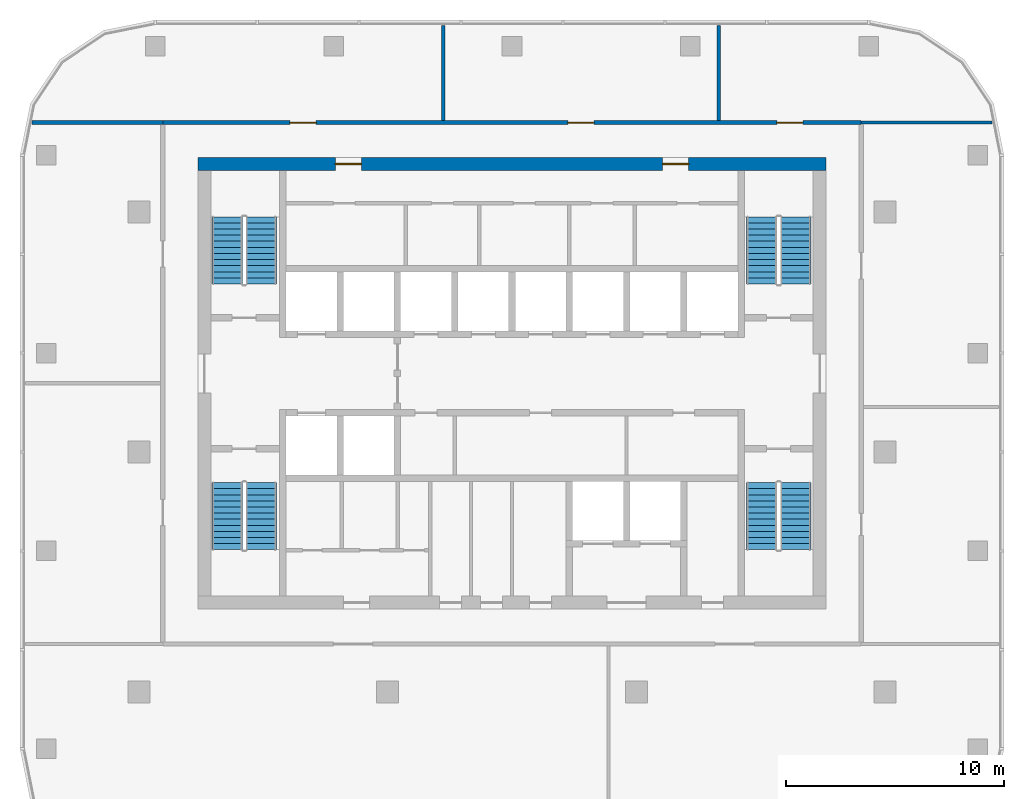
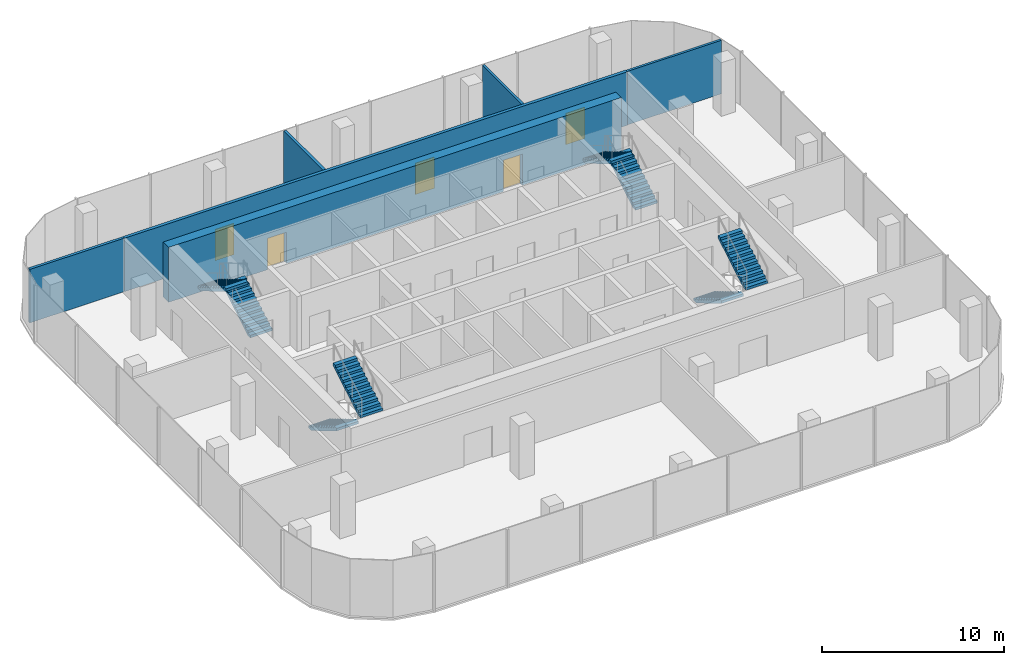
# One storey, part 8 of 9: 8 stair flights, 6 walls, 5 doors, 5 openings, 4 elements without a shape of their own.
"""IFC4 building model written with IfcOpenShell, lengths in metres."""

from ifc_helpers import new_model, si_unit, direction, frame, frame_2d, origin, place, context, subcontext, project, spatial, polyline, rectangle, outline, extrude, material, layer, layer_set, type_object, element, fill, aggregate, save


model = new_model("IFC4")

# Units and contexts
model_context = context("Model", 3, precision=1e-05, world=origin(), true_north=direction((0.0, 1.0)))
body_context = subcontext(model_context, "Body", "Model", "MODEL_VIEW")
ifc_project = project(units=[si_unit("LENGTHUNIT", "METRE"), si_unit("AREAUNIT", "SQUARE_METRE"), si_unit("VOLUMEUNIT", "CUBIC_METRE"), si_unit("PLANEANGLEUNIT", "RADIAN"), si_unit("MASSUNIT", "GRAM", prefix="KILO")], contexts=[model_context])

# Site, building, storey
site_placement = place(None, origin())
site = spatial("IfcSite", under=ifc_project, at=site_placement, CompositionType="ELEMENT")
building_placement = place(site_placement, origin())
building = spatial("IfcBuilding", under=site, at=building_placement, Name="Mopane Tessera Tower", CompositionType="ELEMENT")
storey_placement = place(building_placement, frame((0.0, 0.0, 353.39990234375)))
storey = spatial("IfcBuildingStorey", under=building, at=storey_placement, Name="L77", CompositionType="ELEMENT", Elevation=353.39990234375)

# Wall, openings, doors
ifc_material_1 = material(Name="Concrete C70/85", Category="concrete")
ifc_layer_1 = layer(ifc_material_1, 0.60009765625)
ifc_layer_set_1 = layer_set([ifc_layer_1], Name="Concrete C70/85")
wall_type_1 = type_object("IfcWallType", Name="Core shear wall 600 mm", PredefinedType="SHEAR", material=ifc_layer_set_1)
wall_1_placement = place(storey_placement, frame((-14.39990234375, 13.199951171875, 0.0), z_axis=(0.0, 0.0, 1.0), x_axis=(1.0, 0.0, 0.0)))
wall_1 = element("IfcWall", 1, at=wall_1_placement, inside=storey, type_object=wall_type_1, Name="L77 Core wall north", PredefinedType="SHEAR", context=body_context, shape_type="SweptSolid", body=[
    extrude(rectangle(XDim=28.7998046875, YDim=0.60009765625, at=frame_2d((14.39990234375, 0.0))), origin(), (0.0, 0.0, 1.0), 3.7001953125),
])
opening_1_placement = place(wall_1_placement, frame((6.300048828125, 0.0, 0.0)))
opening_1 = element("IfcOpeningElement", 2, at=opening_1_placement, cuts=wall_1, Name="Opening RD2", PredefinedType="OPENING", context=body_context, shape_type="SweptSolid", body=[
    extrude(rectangle(XDim=1.199951171875, YDim=2.10009765625, at=frame_2d((0.60009765625, 1.050048828125))), frame((0.0, 0.31201171875, 0.0), z_axis=(0.0, -1.0, 0.0), x_axis=(1.0, 0.0, 0.0)), (0.0, 0.0, 1.0), 0.6240234375),
])
opening_2_placement = place(wall_1_placement, frame((21.300048828125, 0.0, 0.0)))
opening_2 = element("IfcOpeningElement", 3, at=opening_2_placement, cuts=wall_1, Name="Opening RD2", PredefinedType="OPENING", context=body_context, shape_type="SweptSolid", body=[
    extrude(rectangle(XDim=1.199951171875, YDim=2.10009765625, at=frame_2d((0.60009765625, 1.050048828125))), frame((0.0, 0.31201171875, 0.0), z_axis=(0.0, -1.0, 0.0), x_axis=(1.0, 0.0, 0.0)), (0.0, 0.0, 1.0), 0.6240234375),
])
ifc_material_2 = material(Name="Timber door", Category="wood")
door_type_1 = type_object("IfcDoorType", Name="Core corridor door 1200 x 2100", OperationType="SINGLE_SWING_LEFT", PredefinedType="DOOR", material=ifc_material_2)
door_1_placement = place(opening_1_placement, origin())
door_1 = element("IfcDoor", 4, at=door_1_placement, inside=storey, type_object=door_type_1, Name="L77 Corridor door", OperationType="SINGLE_SWING_LEFT", OverallHeight=2.10009765625, OverallWidth=1.199951171875, PredefinedType="DOOR", context=body_context, shape_type="SweptSolid", body=[
    extrude(rectangle(XDim=1.199951171875, YDim=2.10009765625, at=frame_2d((0.60009765625, 1.050048828125))), frame((0.0, 0.02490234375, 0.0), z_axis=(0.0, -1.0, 0.0), x_axis=(1.0, 0.0, 0.0)), (0.0, 0.0, 1.0), 0.050048828125),
])
fill(opening_1, door_1)
door_2_placement = place(opening_2_placement, origin())
door_2 = element("IfcDoor", 5, at=door_2_placement, inside=storey, type_object=door_type_1, Name="L77 Corridor door", OperationType="SINGLE_SWING_RIGHT", OverallHeight=2.10009765625, OverallWidth=1.199951171875, PredefinedType="DOOR", context=body_context, shape_type="SweptSolid", body=[
    extrude(rectangle(XDim=1.199951171875, YDim=2.10009765625, at=frame_2d((0.60009765625, 1.050048828125))), frame((0.0, 0.02490234375, 0.0), z_axis=(0.0, -1.0, 0.0), x_axis=(1.0, 0.0, 0.0)), (0.0, 0.0, 1.0), 0.050048828125),
])
fill(opening_2, door_2)

# Walls
ifc_material_3 = material(Name="Gypsum board on staggered steel studs, double layer each face, acoustic mineral wool infill", Category="steel")
ifc_layer_2 = layer(ifc_material_3, 0.175048828125)
ifc_layer_set_2 = layer_set([ifc_layer_2], Name="Gypsum board on staggered steel studs, double layer each face, acoustic mineral wool infill")
wall_type_2 = type_object("IfcWallType", Name="Gypsum board acoustic partition 175, rated EI 60", PredefinedType="PARTITIONING", material=ifc_layer_set_2)
wall_2_placement = place(storey_placement, frame((-22.0, 15.10009765625, 0.0), z_axis=(0.0, 0.0, 1.0), x_axis=(1.0, 0.0, 0.0)))
element("IfcWall", 6, at=wall_2_placement, inside=storey, type_object=wall_type_2, Name="Partition L77:006", PredefinedType="PARTITIONING", context=body_context, shape_type="SweptSolid", body=[
    extrude(rectangle(XDim=6.0, YDim=0.175048828125, at=frame_2d((3.0, 0.0))), origin(), (0.0, 0.0, 1.0), 3.60009765625),
])
wall_3_placement = place(storey_placement, frame((-3.155029296875, 15.199951171875, 0.0), z_axis=(0.0, 0.0, 1.0), x_axis=(0.0, 1.0, 0.0)))
element("IfcWall", 7, at=wall_3_placement, inside=storey, type_object=wall_type_2, Name="Partition L77:009", PredefinedType="PARTITIONING", context=body_context, shape_type="SweptSolid", body=[
    extrude(rectangle(XDim=4.35009765625, YDim=0.175048828125, at=frame_2d((2.175048828125, 0.0))), origin(), (0.0, 0.0, 1.0), 3.60009765625),
])

# Wall, openings, doors
ifc_material_4 = material(Name="Gypsum board on steel studs, two layers each face, mineral wool infill", Category="steel")
ifc_layer_3 = layer(ifc_material_4, 0.199951171875)
ifc_layer_set_3 = layer_set([ifc_layer_3], Name="Gypsum board on steel studs, two layers each face, mineral wool infill")
wall_type_3 = type_object("IfcWallType", Name="Gypsum board corridor wall 200, rated EI 60", PredefinedType="PARTITIONING", material=ifc_layer_set_3)
wall_4_placement = place(storey_placement, frame((-16.0, 15.10009765625, 0.0), z_axis=(0.0, 0.0, 1.0), x_axis=(1.0, 0.0, 0.0)))
wall_4 = element("IfcWall", 8, at=wall_4_placement, inside=storey, type_object=wall_type_3, Name="Partition L77:007", PredefinedType="PARTITIONING", context=body_context, shape_type="SweptSolid", body=[
    extrude(rectangle(XDim=32.0, YDim=0.199951171875, at=frame_2d((16.0, 0.0))), origin(), (0.0, 0.0, 1.0), 3.60009765625),
])
opening_3_placement = place(wall_4_placement, frame((5.822509765625, 0.0, 0.0)))
opening_3 = element("IfcOpeningElement", 9, at=opening_3_placement, cuts=wall_4, Name="Opening L77-01", PredefinedType="OPENING", context=body_context, shape_type="SweptSolid", body=[
    extrude(rectangle(XDim=1.199951171875, YDim=2.10009765625, at=frame_2d((0.60009765625, 1.050048828125))), frame((0.0, 0.112060546875, 0.0), z_axis=(0.0, -1.0, 0.0), x_axis=(1.0, 0.0, 0.0)), (0.0, 0.0, 1.0), 0.223876953125),
])
opening_4_placement = place(wall_4_placement, frame((18.5576171875, 0.0, 0.0)))
opening_4 = element("IfcOpeningElement", 10, at=opening_4_placement, cuts=wall_4, Name="Opening L77-03", PredefinedType="OPENING", context=body_context, shape_type="SweptSolid", body=[
    extrude(rectangle(XDim=1.199951171875, YDim=2.10009765625, at=frame_2d((0.60009765625, 1.050048828125))), frame((0.0, 0.112060546875, 0.0), z_axis=(0.0, -1.0, 0.0), x_axis=(1.0, 0.0, 0.0)), (0.0, 0.0, 1.0), 0.223876953125),
])
opening_5_placement = place(wall_4_placement, frame((28.135009765625, 0.0, 0.0)))
opening_5 = element("IfcOpeningElement", 11, at=opening_5_placement, cuts=wall_4, Name="Opening L77-06", PredefinedType="OPENING", context=body_context, shape_type="SweptSolid", body=[
    extrude(rectangle(XDim=1.199951171875, YDim=2.10009765625, at=frame_2d((0.60009765625, 1.050048828125))), frame((0.0, 0.112060546875, 0.0), z_axis=(0.0, -1.0, 0.0), x_axis=(1.0, 0.0, 0.0)), (0.0, 0.0, 1.0), 0.223876953125),
])
ifc_material_5 = material(Name="Timber veneered steel-framed fire door", Category="steel")
door_type_2 = type_object("IfcDoorType", Name="Fire door FD60 1200 x 2100", OperationType="SINGLE_SWING_LEFT", PredefinedType="DOOR", material=ifc_material_5)
door_3_placement = place(opening_3_placement, origin())
door_3 = element("IfcDoor", 12, at=door_3_placement, inside=storey, type_object=door_type_2, Name="Door L77-01", ObjectType="D15A", OperationType="SINGLE_SWING_RIGHT", OverallHeight=2.10009765625, OverallWidth=1.199951171875, PredefinedType="DOOR", context=body_context, shape_type="SweptSolid", body=[
    extrude(rectangle(XDim=1.199951171875, YDim=2.10009765625, at=frame_2d((0.60009765625, 1.050048828125))), frame((0.0, 0.02490234375, 0.0), z_axis=(0.0, -1.0, 0.0), x_axis=(1.0, 0.0, 0.0)), (0.0, 0.0, 1.0), 0.050048828125),
])
fill(opening_3, door_3)
door_4_placement = place(opening_4_placement, origin())
door_4 = element("IfcDoor", 13, at=door_4_placement, inside=storey, type_object=door_type_2, Name="Door L77-03", ObjectType="D15A", OperationType="SINGLE_SWING_RIGHT", OverallHeight=2.10009765625, OverallWidth=1.199951171875, PredefinedType="DOOR", context=body_context, shape_type="SweptSolid", body=[
    extrude(rectangle(XDim=1.199951171875, YDim=2.10009765625, at=frame_2d((0.60009765625, 1.050048828125))), frame((0.0, 0.02490234375, 0.0), z_axis=(0.0, -1.0, 0.0), x_axis=(1.0, 0.0, 0.0)), (0.0, 0.0, 1.0), 0.050048828125),
])
fill(opening_4, door_4)
door_5_placement = place(opening_5_placement, origin())
door_5 = element("IfcDoor", 14, at=door_5_placement, inside=storey, type_object=door_type_2, Name="Door L77-06", ObjectType="D15A", OperationType="SINGLE_SWING_LEFT", OverallHeight=2.10009765625, OverallWidth=1.199951171875, PredefinedType="DOOR", context=body_context, shape_type="SweptSolid", body=[
    extrude(rectangle(XDim=1.199951171875, YDim=2.10009765625, at=frame_2d((0.60009765625, 1.050048828125))), frame((0.0, 0.02490234375, 0.0), z_axis=(0.0, -1.0, 0.0), x_axis=(1.0, 0.0, 0.0)), (0.0, 0.0, 1.0), 0.050048828125),
])
fill(opening_5, door_5)

# Walls
ifc_material_6 = material(Name="Gypsum board on steel studs, mineral wool infill", Category="steel")
ifc_layer_4 = layer(ifc_material_6, 0.14990234375)
ifc_layer_set_4 = layer_set([ifc_layer_4], Name="Gypsum board on steel studs, mineral wool infill")
wall_type_4 = type_object("IfcWallType", Name="Gypsum board partition 150, rated EI 60", PredefinedType="PARTITIONING", material=ifc_layer_set_4)
wall_5_placement = place(storey_placement, frame((16.0, 15.10009765625, 0.0), z_axis=(0.0, 0.0, 1.0), x_axis=(1.0, 0.0, 0.0)))
element("IfcWall", 15, at=wall_5_placement, inside=storey, type_object=wall_type_4, Name="Partition L77:005", PredefinedType="PARTITIONING", context=body_context, shape_type="SweptSolid", body=[
    extrude(rectangle(XDim=6.0, YDim=0.14990234375, at=frame_2d((3.0, 0.0))), origin(), (0.0, 0.0, 1.0), 3.60009765625),
])
wall_6_placement = place(storey_placement, frame((9.469970703125, 15.199951171875, 0.0), z_axis=(0.0, 0.0, 1.0), x_axis=(0.0, 1.0, 0.0)))
element("IfcWall", 16, at=wall_6_placement, inside=storey, type_object=wall_type_4, Name="Partition L77:011", PredefinedType="PARTITIONING", context=body_context, shape_type="SweptSolid", body=[
    extrude(rectangle(XDim=4.35009765625, YDim=0.14990234375, at=frame_2d((2.175048828125, 0.0))), origin(), (0.0, 0.0, 1.0), 3.60009765625),
])

# Stair, stair flights
ifc_material_7 = material(Name="Concrete C50/60", Category="concrete")
stair_type = type_object("IfcStairType", Name="Escape stair 1400 mm, riser 167 mm", PredefinedType="HALF_TURN_STAIR", material=ifc_material_7)
stair_1_placement = place(storey_placement, origin())
stair_1 = element("IfcStair", 17, at=stair_1_placement, inside=storey, type_object=stair_type, Name="L77 Escape stair south-west", PredefinedType="HALF_TURN_STAIR")
ifc_material_8 = material(Name="Concrete C50/60", Category="concrete")
stair_flight_type = type_object("IfcStairFlightType", Name="Escape stair flight 1400 mm", PredefinedType="STRAIGHT", material=ifc_material_8)
stair_flight_1_placement = place(storey_placement, frame((-13.050048828125, -1.39990234375, 0.0), z_axis=(0.0, 0.0, 1.0), x_axis=(0.0, -1.0, 0.0)))
stair_flight_1 = element("IfcStairFlight", 18, at=stair_flight_1_placement, type_object=stair_flight_type, Name="ST1 flight 1", NumberOfRisers=12, NumberOfTreads=11, PredefinedType="STRAIGHT", RiserHeight=0.166666667, TreadLength=0.28, context=body_context, shape_type="SweptSolid", body=[
    extrude(outline(polyline([(0.0, 0.0), (0.0, 0.166748046875), (0.280029296875, 0.166748046875), (0.280029296875, 0.333251953125), (0.56005859375, 0.333251953125), (0.56005859375, 0.5), (0.840087890625, 0.5), (0.840087890625, 0.666748046875), (1.1201171875, 0.666748046875), (1.1201171875, 0.833251953125), (1.39990234375, 0.833251953125), (1.39990234375, 1.0), (1.679931640625, 1.0), (1.679931640625, 1.166748046875), (1.9599609375, 1.166748046875), (1.9599609375, 1.333251953125), (2.239990234375, 1.333251953125), (2.239990234375, 1.5), (2.52001953125, 1.5), (2.52001953125, 1.666748046875), (2.800048828125, 1.666748046875), (2.800048828125, 1.833251953125), (3.080078125, 1.833251953125), (3.080078125, 2.0), (3.080078125, 1.658935546875), (0.29296875, 0.0), (0.0, 0.0)])), frame((0.0, 0.699951171875, 0.0), z_axis=(0.0, -1.0, 0.0), x_axis=(1.0, 0.0, 0.0)), (0.0, 0.0, 1.0), 1.39990234375),
])
stair_flight_2_placement = place(storey_placement, frame((-11.5, -4.47998046875, 2.0), z_axis=(0.0, 0.0, 1.0), x_axis=(0.0, 1.0, 0.0)))
stair_flight_2 = element("IfcStairFlight", 19, at=stair_flight_2_placement, type_object=stair_flight_type, Name="ST1 flight 2", NumberOfRisers=12, NumberOfTreads=11, PredefinedType="STRAIGHT", RiserHeight=0.166666667, TreadLength=0.28, context=body_context, shape_type="SweptSolid", body=[
    extrude(outline(polyline([(0.0, 0.0), (0.0, 0.166748046875), (0.280029296875, 0.166748046875), (0.280029296875, 0.333251953125), (0.56005859375, 0.333251953125), (0.56005859375, 0.5), (0.840087890625, 0.5), (0.840087890625, 0.666748046875), (1.1201171875, 0.666748046875), (1.1201171875, 0.833251953125), (1.39990234375, 0.833251953125), (1.39990234375, 1.0), (1.679931640625, 1.0), (1.679931640625, 1.166748046875), (1.9599609375, 1.166748046875), (1.9599609375, 1.333251953125), (2.239990234375, 1.333251953125), (2.239990234375, 1.5), (2.52001953125, 1.5), (2.52001953125, 1.666748046875), (2.800048828125, 1.666748046875), (2.800048828125, 1.833251953125), (3.080078125, 1.833251953125), (3.080078125, 2.0), (3.080078125, 1.658935546875), (0.29296875, 0.0), (0.0, 0.0)])), frame((0.0, 0.699951171875, 0.0), z_axis=(0.0, -1.0, 0.0), x_axis=(1.0, 0.0, 0.0)), (0.0, 0.0, 1.0), 1.39990234375),
])
aggregate(stair_1, [stair_flight_1, stair_flight_2])

stair_2_placement = place(storey_placement, origin())
stair_2 = element("IfcStair", 20, at=stair_2_placement, inside=storey, type_object=stair_type, Name="L77 Escape stair north-west", PredefinedType="HALF_TURN_STAIR")
stair_flight_3_placement = place(storey_placement, frame((-11.5, 7.699951171875, 0.0), z_axis=(0.0, 0.0, 1.0), x_axis=(0.0, 1.0, 0.0)))
stair_flight_3 = element("IfcStairFlight", 21, at=stair_flight_3_placement, type_object=stair_flight_type, Name="ST2 flight 1", NumberOfRisers=12, NumberOfTreads=11, PredefinedType="STRAIGHT", RiserHeight=0.166666667, TreadLength=0.28, context=body_context, shape_type="SweptSolid", body=[
    extrude(outline(polyline([(0.0, 0.0), (0.0, 0.166748046875), (0.280029296875, 0.166748046875), (0.280029296875, 0.333251953125), (0.56005859375, 0.333251953125), (0.56005859375, 0.5), (0.840087890625, 0.5), (0.840087890625, 0.666748046875), (1.1201171875, 0.666748046875), (1.1201171875, 0.833251953125), (1.39990234375, 0.833251953125), (1.39990234375, 1.0), (1.679931640625, 1.0), (1.679931640625, 1.166748046875), (1.9599609375, 1.166748046875), (1.9599609375, 1.333251953125), (2.239990234375, 1.333251953125), (2.239990234375, 1.5), (2.52001953125, 1.5), (2.52001953125, 1.666748046875), (2.800048828125, 1.666748046875), (2.800048828125, 1.833251953125), (3.080078125, 1.833251953125), (3.080078125, 2.0), (3.080078125, 1.658935546875), (0.29296875, 0.0), (0.0, 0.0)])), frame((0.0, 0.699951171875, 0.0), z_axis=(0.0, -1.0, 0.0), x_axis=(1.0, 0.0, 0.0)), (0.0, 0.0, 1.0), 1.39990234375),
])
stair_flight_4_placement = place(storey_placement, frame((-13.050048828125, 10.780029296875, 2.0), z_axis=(0.0, 0.0, 1.0), x_axis=(0.0, -1.0, 0.0)))
stair_flight_4 = element("IfcStairFlight", 22, at=stair_flight_4_placement, type_object=stair_flight_type, Name="ST2 flight 2", NumberOfRisers=12, NumberOfTreads=11, PredefinedType="STRAIGHT", RiserHeight=0.166666667, TreadLength=0.28, context=body_context, shape_type="SweptSolid", body=[
    extrude(outline(polyline([(0.0, 0.0), (0.0, 0.166748046875), (0.280029296875, 0.166748046875), (0.280029296875, 0.333251953125), (0.56005859375, 0.333251953125), (0.56005859375, 0.5), (0.840087890625, 0.5), (0.840087890625, 0.666748046875), (1.1201171875, 0.666748046875), (1.1201171875, 0.833251953125), (1.39990234375, 0.833251953125), (1.39990234375, 1.0), (1.679931640625, 1.0), (1.679931640625, 1.166748046875), (1.9599609375, 1.166748046875), (1.9599609375, 1.333251953125), (2.239990234375, 1.333251953125), (2.239990234375, 1.5), (2.52001953125, 1.5), (2.52001953125, 1.666748046875), (2.800048828125, 1.666748046875), (2.800048828125, 1.833251953125), (3.080078125, 1.833251953125), (3.080078125, 2.0), (3.080078125, 1.658935546875), (0.29296875, 0.0), (0.0, 0.0)])), frame((0.0, 0.699951171875, 0.0), z_axis=(0.0, -1.0, 0.0), x_axis=(1.0, 0.0, 0.0)), (0.0, 0.0, 1.0), 1.39990234375),
])
aggregate(stair_2, [stair_flight_3, stair_flight_4])

stair_3_placement = place(storey_placement, origin())
stair_3 = element("IfcStair", 23, at=stair_3_placement, inside=storey, type_object=stair_type, Name="L77 Escape stair south-east", PredefinedType="HALF_TURN_STAIR")
stair_flight_5_placement = place(storey_placement, frame((11.449951171875, -1.39990234375, 0.0), z_axis=(0.0, 0.0, 1.0), x_axis=(0.0, -1.0, 0.0)))
stair_flight_5 = element("IfcStairFlight", 24, at=stair_flight_5_placement, type_object=stair_flight_type, Name="ST3 flight 1", NumberOfRisers=12, NumberOfTreads=11, PredefinedType="STRAIGHT", RiserHeight=0.166666667, TreadLength=0.28, context=body_context, shape_type="SweptSolid", body=[
    extrude(outline(polyline([(0.0, 0.0), (0.0, 0.166748046875), (0.280029296875, 0.166748046875), (0.280029296875, 0.333251953125), (0.56005859375, 0.333251953125), (0.56005859375, 0.5), (0.840087890625, 0.5), (0.840087890625, 0.666748046875), (1.1201171875, 0.666748046875), (1.1201171875, 0.833251953125), (1.39990234375, 0.833251953125), (1.39990234375, 1.0), (1.679931640625, 1.0), (1.679931640625, 1.166748046875), (1.9599609375, 1.166748046875), (1.9599609375, 1.333251953125), (2.239990234375, 1.333251953125), (2.239990234375, 1.5), (2.52001953125, 1.5), (2.52001953125, 1.666748046875), (2.800048828125, 1.666748046875), (2.800048828125, 1.833251953125), (3.080078125, 1.833251953125), (3.080078125, 2.0), (3.080078125, 1.658935546875), (0.29296875, 0.0), (0.0, 0.0)])), frame((0.0, 0.699951171875, 0.0), z_axis=(0.0, -1.0, 0.0), x_axis=(1.0, 0.0, 0.0)), (0.0, 0.0, 1.0), 1.39990234375),
])
stair_flight_6_placement = place(storey_placement, frame((13.0, -4.47998046875, 2.0), z_axis=(0.0, 0.0, 1.0), x_axis=(0.0, 1.0, 0.0)))
stair_flight_6 = element("IfcStairFlight", 25, at=stair_flight_6_placement, type_object=stair_flight_type, Name="ST3 flight 2", NumberOfRisers=12, NumberOfTreads=11, PredefinedType="STRAIGHT", RiserHeight=0.166666667, TreadLength=0.28, context=body_context, shape_type="SweptSolid", body=[
    extrude(outline(polyline([(0.0, 0.0), (0.0, 0.166748046875), (0.280029296875, 0.166748046875), (0.280029296875, 0.333251953125), (0.56005859375, 0.333251953125), (0.56005859375, 0.5), (0.840087890625, 0.5), (0.840087890625, 0.666748046875), (1.1201171875, 0.666748046875), (1.1201171875, 0.833251953125), (1.39990234375, 0.833251953125), (1.39990234375, 1.0), (1.679931640625, 1.0), (1.679931640625, 1.166748046875), (1.9599609375, 1.166748046875), (1.9599609375, 1.333251953125), (2.239990234375, 1.333251953125), (2.239990234375, 1.5), (2.52001953125, 1.5), (2.52001953125, 1.666748046875), (2.800048828125, 1.666748046875), (2.800048828125, 1.833251953125), (3.080078125, 1.833251953125), (3.080078125, 2.0), (3.080078125, 1.658935546875), (0.29296875, 0.0), (0.0, 0.0)])), frame((0.0, 0.699951171875, 0.0), z_axis=(0.0, -1.0, 0.0), x_axis=(1.0, 0.0, 0.0)), (0.0, 0.0, 1.0), 1.39990234375),
])
aggregate(stair_3, [stair_flight_5, stair_flight_6])

stair_4_placement = place(storey_placement, origin())
stair_4 = element("IfcStair", 26, at=stair_4_placement, inside=storey, type_object=stair_type, Name="L77 Escape stair north-east", PredefinedType="HALF_TURN_STAIR")
stair_flight_7_placement = place(storey_placement, frame((13.0, 7.699951171875, 0.0), z_axis=(0.0, 0.0, 1.0), x_axis=(0.0, 1.0, 0.0)))
stair_flight_7 = element("IfcStairFlight", 27, at=stair_flight_7_placement, type_object=stair_flight_type, Name="ST4 flight 1", NumberOfRisers=12, NumberOfTreads=11, PredefinedType="STRAIGHT", RiserHeight=0.166666667, TreadLength=0.28, context=body_context, shape_type="SweptSolid", body=[
    extrude(outline(polyline([(0.0, 0.0), (0.0, 0.166748046875), (0.280029296875, 0.166748046875), (0.280029296875, 0.333251953125), (0.56005859375, 0.333251953125), (0.56005859375, 0.5), (0.840087890625, 0.5), (0.840087890625, 0.666748046875), (1.1201171875, 0.666748046875), (1.1201171875, 0.833251953125), (1.39990234375, 0.833251953125), (1.39990234375, 1.0), (1.679931640625, 1.0), (1.679931640625, 1.166748046875), (1.9599609375, 1.166748046875), (1.9599609375, 1.333251953125), (2.239990234375, 1.333251953125), (2.239990234375, 1.5), (2.52001953125, 1.5), (2.52001953125, 1.666748046875), (2.800048828125, 1.666748046875), (2.800048828125, 1.833251953125), (3.080078125, 1.833251953125), (3.080078125, 2.0), (3.080078125, 1.658935546875), (0.29296875, 0.0), (0.0, 0.0)])), frame((0.0, 0.699951171875, 0.0), z_axis=(0.0, -1.0, 0.0), x_axis=(1.0, 0.0, 0.0)), (0.0, 0.0, 1.0), 1.39990234375),
])
stair_flight_8_placement = place(storey_placement, frame((11.449951171875, 10.780029296875, 2.0), z_axis=(0.0, 0.0, 1.0), x_axis=(0.0, -1.0, 0.0)))
stair_flight_8 = element("IfcStairFlight", 28, at=stair_flight_8_placement, type_object=stair_flight_type, Name="ST4 flight 2", NumberOfRisers=12, NumberOfTreads=11, PredefinedType="STRAIGHT", RiserHeight=0.166666667, TreadLength=0.28, context=body_context, shape_type="SweptSolid", body=[
    extrude(outline(polyline([(0.0, 0.0), (0.0, 0.166748046875), (0.280029296875, 0.166748046875), (0.280029296875, 0.333251953125), (0.56005859375, 0.333251953125), (0.56005859375, 0.5), (0.840087890625, 0.5), (0.840087890625, 0.666748046875), (1.1201171875, 0.666748046875), (1.1201171875, 0.833251953125), (1.39990234375, 0.833251953125), (1.39990234375, 1.0), (1.679931640625, 1.0), (1.679931640625, 1.166748046875), (1.9599609375, 1.166748046875), (1.9599609375, 1.333251953125), (2.239990234375, 1.333251953125), (2.239990234375, 1.5), (2.52001953125, 1.5), (2.52001953125, 1.666748046875), (2.800048828125, 1.666748046875), (2.800048828125, 1.833251953125), (3.080078125, 1.833251953125), (3.080078125, 2.0), (3.080078125, 1.658935546875), (0.29296875, 0.0), (0.0, 0.0)])), frame((0.0, 0.699951171875, 0.0), z_axis=(0.0, -1.0, 0.0), x_axis=(1.0, 0.0, 0.0)), (0.0, 0.0, 1.0), 1.39990234375),
])
aggregate(stair_4, [stair_flight_7, stair_flight_8])

save(model, "model.ifc")
